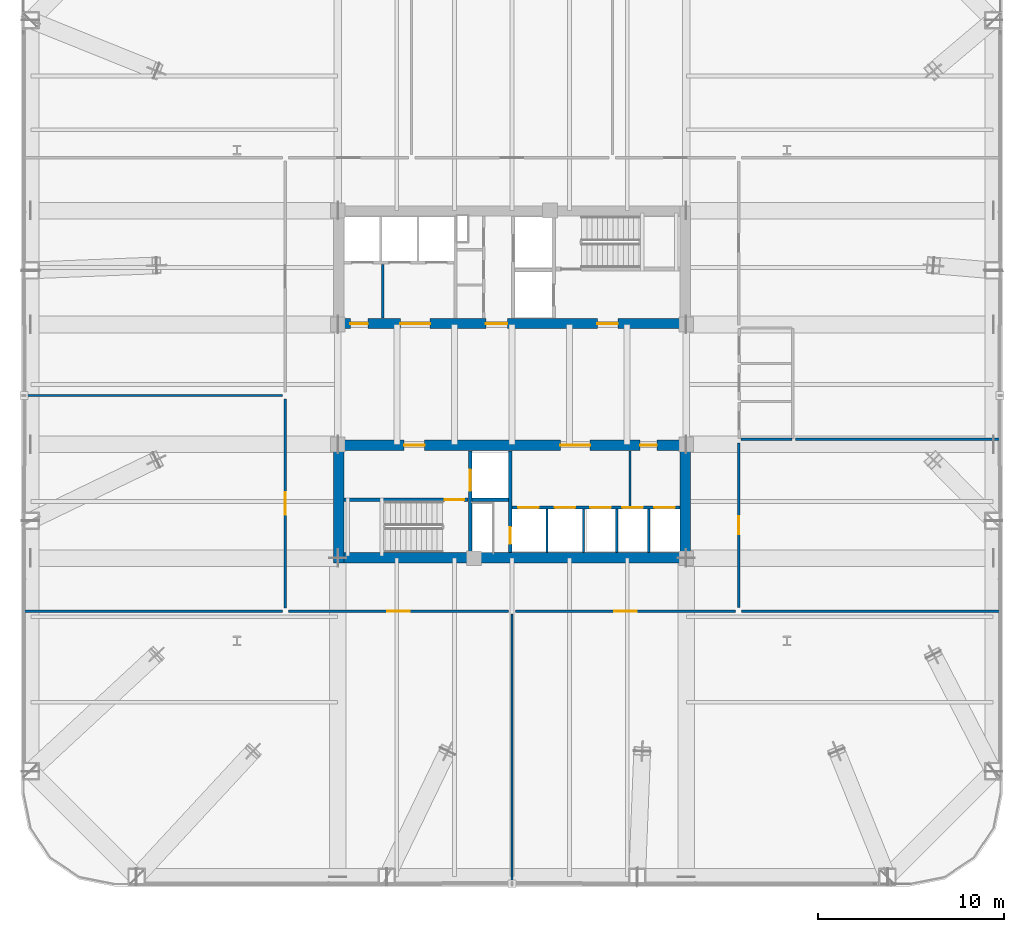
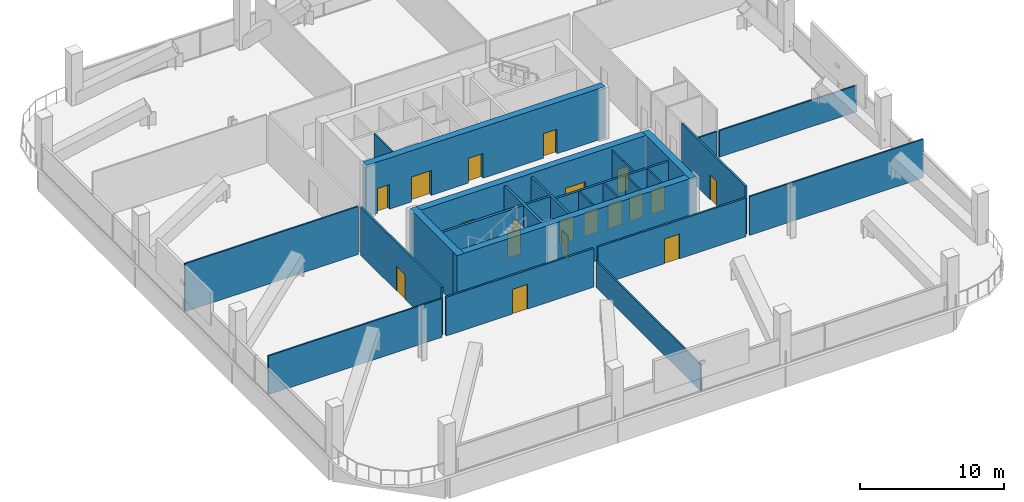
# One storey, part 30 of 38: 26 walls, 19 doors, 19 openings.
"""IFC4 building model written with IfcOpenShell, lengths in metres."""

from ifc_helpers import new_model, si_unit, direction, frame, frame_2d, origin, place, context, subcontext, project, spatial, rectangle, extrude, material, layer, layer_set, type_object, element, fill, save


model = new_model("IFC4")

# Units and contexts
model_context = context("Model", 3, precision=1e-05, world=origin(), true_north=direction((0.0, 1.0)))
body_context = subcontext(model_context, "Body", "Model", "MODEL_VIEW")
ifc_project = project(units=[si_unit("LENGTHUNIT", "METRE"), si_unit("AREAUNIT", "SQUARE_METRE"), si_unit("VOLUMEUNIT", "CUBIC_METRE"), si_unit("PLANEANGLEUNIT", "RADIAN"), si_unit("MASSUNIT", "GRAM", prefix="KILO")], contexts=[model_context])

# Site, building, storey
site_placement = place(None, origin())
site = spatial("IfcSite", under=ifc_project, at=site_placement, CompositionType="ELEMENT")
building_placement = place(site_placement, origin())
building = spatial("IfcBuilding", under=site, at=building_placement, Name="Qhalaya Broadcast Tower", CompositionType="ELEMENT")
storey_placement = place(building_placement, frame((0.0, 0.0, 53.550048828125)))
storey = spatial("IfcBuildingStorey", under=building, at=storey_placement, Name="L15", CompositionType="ELEMENT", Elevation=53.550048828125)

# Wall, opening, door
ifc_material_1 = material(Name="Gypsum Acoustic Partition")
ifc_layer_1 = layer(ifc_material_1, 0.14990234375, Name="Gypsum Acoustic Partition")
ifc_layer_set_1 = layer_set([ifc_layer_1], Name="Gypsum Acoustic Partition")
wall_type_1 = type_object("IfcWallType", Name="Corridor & Tenancy Acoustic Partition 150", PredefinedType="PARTITIONING", material=ifc_layer_set_1)
wall_1_placement = place(storey_placement, frame((-12.02001953125, -11.60009765625, 0.0), z_axis=(0.0, 0.0, 1.0), x_axis=(1.0, 0.0, 0.0)))
wall_1 = element("IfcWall", 1, at=wall_1_placement, inside=storey, type_object=wall_type_1, Name="L15 Partition Wall W-COR-04", PredefinedType="PARTITIONING", context=body_context, shape_type="SweptSolid", body=[
    extrude(rectangle(XDim=11.840087890625, YDim=0.14990234375, at=frame_2d((5.919921875, 0.0))), origin(), (0.0, 0.0, 1.0), 3.287841796875),
])
opening_1_placement = place(wall_1_placement, frame((5.320068359375, 0.0, 0.0)))
opening_1 = element("IfcOpeningElement", 2, at=opening_1_placement, cuts=wall_1, Name="Opening D11", PredefinedType="OPENING", context=body_context, shape_type="SweptSolid", body=[
    extrude(rectangle(XDim=1.199951171875, YDim=2.10009765625, at=frame_2d((0.60009765625, 1.050048828125))), frame((0.0, 0.0869140625, 0.0), z_axis=(0.0, -1.0, 0.0), x_axis=(1.0, 0.0, 0.0)), (0.0, 0.0, 1.0), 0.173828125),
])
ifc_material_2 = material(Name="Anodised Aluminium Glazed Door", Category="aluminium")
door_type_1 = type_object("IfcDoorType", Name="Conference, Boardroom & Studio Control Door D11", OperationType="NOTDEFINED", PredefinedType="DOOR", material=ifc_material_2)
door_1_placement = place(opening_1_placement, origin())
door_1 = element("IfcDoor", 3, at=door_1_placement, inside=storey, type_object=door_type_1, Name="L15 Door D-RM04", OperationType="SINGLE_SWING_RIGHT", OverallHeight=2.10009765625, OverallWidth=1.199951171875, PredefinedType="DOOR", context=body_context, shape_type="SweptSolid", body=[
    extrude(rectangle(XDim=1.199951171875, YDim=2.10009765625, at=frame_2d((0.60009765625, 1.050048828125))), frame((0.0, 0.02490234375, 0.0), z_axis=(0.0, -1.0, 0.0), x_axis=(1.0, 0.0, 0.0)), (0.0, 0.0, 1.0), 0.050048828125),
])
fill(opening_1, door_1)

wall_2_placement = place(storey_placement, frame((0.179931640625, -11.60009765625, 0.0), z_axis=(0.0, 0.0, 1.0), x_axis=(1.0, 0.0, 0.0)))
wall_2 = element("IfcWall", 4, at=wall_2_placement, inside=storey, type_object=wall_type_1, Name="L15 Partition Wall W-COR-05", PredefinedType="PARTITIONING", context=body_context, shape_type="SweptSolid", body=[
    extrude(rectangle(XDim=11.840087890625, YDim=0.14990234375, at=frame_2d((5.919921875, 0.0))), origin(), (0.0, 0.0, 1.0), 3.287841796875),
])
opening_2_placement = place(wall_2_placement, frame((5.320068359375, 0.0, 0.0)))
opening_2 = element("IfcOpeningElement", 5, at=opening_2_placement, cuts=wall_2, Name="Opening D11", PredefinedType="OPENING", context=body_context, shape_type="SweptSolid", body=[
    extrude(rectangle(XDim=1.199951171875, YDim=2.10009765625, at=frame_2d((0.60009765625, 1.050048828125))), frame((0.0, 0.0869140625, 0.0), z_axis=(0.0, -1.0, 0.0), x_axis=(1.0, 0.0, 0.0)), (0.0, 0.0, 1.0), 0.173828125),
])
door_2_placement = place(opening_2_placement, origin())
door_2 = element("IfcDoor", 6, at=door_2_placement, inside=storey, type_object=door_type_1, Name="L15 Door D-RM05", OperationType="SINGLE_SWING_LEFT", OverallHeight=2.10009765625, OverallWidth=1.199951171875, PredefinedType="DOOR", context=body_context, shape_type="SweptSolid", body=[
    extrude(rectangle(XDim=1.199951171875, YDim=2.10009765625, at=frame_2d((0.60009765625, 1.050048828125))), frame((0.0, 0.02490234375, 0.0), z_axis=(0.0, -1.0, 0.0), x_axis=(1.0, 0.0, 0.0)), (0.0, 0.0, 1.0), 0.050048828125),
])
fill(opening_2, door_2)

wall_3_placement = place(storey_placement, frame((-12.199951171875, -11.419921875, 0.0), z_axis=(0.0, 0.0, 1.0), x_axis=(0.0, 1.0, 0.0)))
wall_3 = element("IfcWall", 7, at=wall_3_placement, inside=storey, type_object=wall_type_1, Name="L15 Partition Wall W-COR-06", PredefinedType="PARTITIONING", context=body_context, shape_type="SweptSolid", body=[
    extrude(rectangle(XDim=11.239990234375, YDim=0.14990234375, at=frame_2d((5.6201171875, 0.0))), origin(), (0.0, 0.0, 1.0), 4.070068359375),
])
opening_3_placement = place(wall_3_placement, frame((5.02001953125, 0.0, 0.0)))
opening_3 = element("IfcOpeningElement", 8, at=opening_3_placement, cuts=wall_3, Name="Opening D11", PredefinedType="OPENING", context=body_context, shape_type="SweptSolid", body=[
    extrude(rectangle(XDim=1.199951171875, YDim=2.10009765625, at=frame_2d((0.60009765625, 1.050048828125))), frame((0.0, 0.0869140625, 0.0), z_axis=(0.0, -1.0, 0.0), x_axis=(1.0, 0.0, 0.0)), (0.0, 0.0, 1.0), 0.173828125),
])
door_3_placement = place(opening_3_placement, origin())
door_3 = element("IfcDoor", 9, at=door_3_placement, inside=storey, type_object=door_type_1, Name="L15 Door D-RM06", OperationType="SINGLE_SWING_RIGHT", OverallHeight=2.10009765625, OverallWidth=1.199951171875, PredefinedType="DOOR", context=body_context, shape_type="SweptSolid", body=[
    extrude(rectangle(XDim=1.199951171875, YDim=2.10009765625, at=frame_2d((0.60009765625, 1.050048828125))), frame((0.0, 0.02490234375, 0.0), z_axis=(0.0, -1.0, 0.0), x_axis=(1.0, 0.0, 0.0)), (0.0, 0.0, 1.0), 0.050048828125),
])
fill(opening_3, door_3)

wall_4_placement = place(storey_placement, frame((12.199951171875, -11.39990234375, 0.0), z_axis=(0.0, 0.0, 1.0), x_axis=(0.0, 1.0, 0.0)))
wall_4 = element("IfcWall", 10, at=wall_4_placement, inside=storey, type_object=wall_type_1, Name="L15 Partition Wall W-COR-08", PredefinedType="PARTITIONING", context=body_context, shape_type="SweptSolid", body=[
    extrude(rectangle(XDim=8.83984375, YDim=0.14990234375, at=frame_2d((4.419921875, 0.0))), origin(), (0.0, 0.0, 1.0), 4.070068359375),
])
opening_4_placement = place(wall_4_placement, frame((3.945068359375, 0.0, 0.0)))
opening_4 = element("IfcOpeningElement", 11, at=opening_4_placement, cuts=wall_4, Name="Opening D10", PredefinedType="OPENING", context=body_context, shape_type="SweptSolid", body=[
    extrude(rectangle(XDim=0.949951171875, YDim=2.10009765625, at=frame_2d((0.47509765625, 1.050048828125))), frame((0.0, 0.0869140625, 0.0), z_axis=(0.0, -1.0, 0.0), x_axis=(1.0, 0.0, 0.0)), (0.0, 0.0, 1.0), 0.173828125),
])
ifc_material_3 = material(Name="Timber Veneer Acoustic Door", Category="wood")
door_type_2 = type_object("IfcDoorType", Name="Cellular Office & Edit Booth Door D10", OperationType="NOTDEFINED", PredefinedType="DOOR", material=ifc_material_3)
door_4_placement = place(opening_4_placement, origin())
door_4 = element("IfcDoor", 12, at=door_4_placement, inside=storey, type_object=door_type_2, Name="L15 Door D-RM08", OperationType="SINGLE_SWING_RIGHT", OverallHeight=2.10009765625, OverallWidth=0.949951171875, PredefinedType="DOOR", context=body_context, shape_type="SweptSolid", body=[
    extrude(rectangle(XDim=0.949951171875, YDim=2.10009765625, at=frame_2d((0.47509765625, 1.050048828125))), frame((0.0, 0.02490234375, 0.0), z_axis=(0.0, -1.0, 0.0), x_axis=(1.0, 0.0, 0.0)), (0.0, 0.0, 1.0), 0.050048828125),
])
fill(opening_4, door_4)

ifc_material_4 = material(Name="Concrete C50/60", Category="concrete")
ifc_layer_2 = layer(ifc_material_4, 0.199951171875, Name="Concrete C50/60")
ifc_layer_set_2 = layer_set([ifc_layer_2], Name="Concrete C50/60")
wall_type_2 = type_object("IfcWallType", Name="Load-Bearing Stair Shaft Wall 200", PredefinedType="SHEAR", material=ifc_layer_set_2)
wall_5_placement = place(storey_placement, frame((-9.030029296875, -5.60498046875, 0.0), z_axis=(0.0, 0.0, 1.0), x_axis=(1.0, 0.0, 0.0)))
wall_5 = element("IfcWall", 13, at=wall_5_placement, inside=storey, type_object=wall_type_2, Name="L15 Stair Core Shear Wall SCW-ST2", PredefinedType="SHEAR", context=body_context, shape_type="SweptSolid", body=[
    extrude(rectangle(XDim=6.669921875, YDim=0.199951171875, at=frame_2d((3.3349609375, 0.0))), origin(), (0.0, 0.0, 1.0), 4.070068359375),
])
opening_5_placement = place(wall_5_placement, frame((5.39990234375, 0.0, 0.0)))
opening_5 = element("IfcOpeningElement", 14, at=opening_5_placement, cuts=wall_5, Name="Opening D03", PredefinedType="OPENING", context=body_context, shape_type="SweptSolid", body=[
    extrude(rectangle(XDim=1.050048828125, YDim=2.080078125, at=frame_2d((0.52490234375, 1.0400390625))), frame((0.0, 0.112060546875, 0.0), z_axis=(0.0, -1.0, 0.0), x_axis=(1.0, 0.0, 0.0)), (0.0, 0.0, 1.0), 0.223876953125),
])
ifc_material_5 = material(Name="Fire-Rated Steel Door", Category="steel")
door_type_3 = type_object("IfcDoorType", Name="Core Stair Protected Fire Door D03", OperationType="NOTDEFINED", PredefinedType="DOOR", material=ifc_material_5)
door_5_placement = place(opening_5_placement, origin())
door_5 = element("IfcDoor", 15, at=door_5_placement, inside=storey, type_object=door_type_3, Name="L15 Door D-SST2", OperationType="SINGLE_SWING_RIGHT", OverallHeight=2.080078125, OverallWidth=1.050048828125, PredefinedType="DOOR", context=body_context, shape_type="SweptSolid", body=[
    extrude(rectangle(XDim=1.050048828125, YDim=2.080078125, at=frame_2d((0.52490234375, 1.0400390625))), frame((0.0, 0.02490234375, 0.0), z_axis=(0.0, -1.0, 0.0), x_axis=(1.0, 0.0, 0.0)), (0.0, 0.0, 1.0), 0.050048828125),
])
fill(opening_5, door_5)

wall_6_placement = place(storey_placement, frame((-2.25, -8.429931640625, 0.0), z_axis=(0.0, 0.0, 1.0), x_axis=(0.0, 1.0, 0.0)))
wall_6 = element("IfcWall", 16, at=wall_6_placement, inside=storey, type_object=wall_type_2, Name="L15 Stair Core Shear Wall SCW-FF", PredefinedType="SHEAR", context=body_context, shape_type="SweptSolid", body=[
    extrude(rectangle(XDim=5.4599609375, YDim=0.199951171875, at=frame_2d((2.72998046875, 0.0))), origin(), (0.0, 0.0, 1.0), 4.070068359375),
])
opening_6_placement = place(wall_6_placement, frame((3.300048828125, 0.0, 0.0)))
opening_6 = element("IfcOpeningElement", 17, at=opening_6_placement, cuts=wall_6, Name="Opening LD2", PredefinedType="OPENING", context=body_context, shape_type="SweptSolid", body=[
    extrude(rectangle(XDim=1.14990234375, YDim=2.080078125, at=frame_2d((0.574951171875, 1.0400390625))), frame((0.0, 0.112060546875, 0.0), z_axis=(0.0, -1.0, 0.0), x_axis=(1.0, 0.0, 0.0)), (0.0, 0.0, 1.0), 0.223876953125),
])
ifc_material_6 = material(Name="Brushed Stainless Steel Lift Door", Category="steel")
door_type_4 = type_object("IfcDoorType", Name="Firefighting Lift Sliding Landing Door LD2", OperationType="DOUBLE_DOOR_SLIDING", PredefinedType="DOOR", material=ifc_material_6)
door_6_placement = place(opening_6_placement, origin())
door_6 = element("IfcDoor", 18, at=door_6_placement, inside=storey, type_object=door_type_4, Name="L15 Door LD-FF2", OperationType="DOUBLE_DOOR_SLIDING", OverallHeight=2.080078125, OverallWidth=1.14990234375, PredefinedType="DOOR", context=body_context, shape_type="SweptSolid", body=[
    extrude(rectangle(XDim=1.14990234375, YDim=2.080078125, at=frame_2d((0.574951171875, 1.0400390625))), frame((0.0, 0.02490234375, 0.0), z_axis=(0.0, -1.0, 0.0), x_axis=(1.0, 0.0, 0.0)), (0.0, 0.0, 1.0), 0.050048828125),
])
fill(opening_6, door_6)

# Wall, openings, doors
ifc_material_7 = material(Name="Concrete C60/75", Category="concrete")
ifc_layer_3 = layer(ifc_material_7, 0.550048828125, Name="Concrete C60/75")
ifc_layer_set_3 = layer_set([ifc_layer_3], Name="Concrete C60/75")
wall_type_3 = type_object("IfcWallType", Name="Lower Split-Core Shear Wall 550", PredefinedType="SHEAR", material=ifc_layer_set_3)
wall_7_placement = place(storey_placement, frame((-9.60009765625, 3.875, 0.0), z_axis=(0.0, 0.0, 1.0), x_axis=(1.0, 0.0, 0.0)))
wall_7 = element("IfcWall", 19, at=wall_7_placement, inside=storey, type_object=wall_type_3, Name="L15 Split-Core Shear Wall CW-NS", PredefinedType="SHEAR", context=body_context, shape_type="SweptSolid", body=[
    extrude(rectangle(XDim=19.2001953125, YDim=0.550048828125, at=frame_2d((9.60009765625, 0.0))), origin(), (0.0, 0.0, 1.0), 4.349853515625),
])
opening_7_placement = place(wall_7_placement, frame((14.199951171875, 0.0, 0.0)))
opening_7 = element("IfcOpeningElement", 20, at=opening_7_placement, cuts=wall_7, Name="Opening D04", PredefinedType="OPENING", context=body_context, shape_type="SweptSolid", body=[
    extrude(rectangle(XDim=1.10009765625, YDim=2.080078125, at=frame_2d((0.550048828125, 1.0400390625))), frame((0.0, 0.287109375, 0.0), z_axis=(0.0, -1.0, 0.0), x_axis=(1.0, 0.0, 0.0)), (0.0, 0.0, 1.0), 0.573974609375),
])
opening_8_placement = place(wall_7_placement, frame((8.199951171875, 0.0, 0.0)))
opening_8 = element("IfcOpeningElement", 21, at=opening_8_placement, cuts=wall_7, Name="Opening D05", PredefinedType="OPENING", context=body_context, shape_type="SweptSolid", body=[
    extrude(rectangle(XDim=1.14990234375, YDim=2.10009765625, at=frame_2d((0.574951171875, 1.050048828125))), frame((0.0, 0.287109375, 0.0), z_axis=(0.0, -1.0, 0.0), x_axis=(1.0, 0.0, 0.0)), (0.0, 0.0, 1.0), 0.573974609375),
])
opening_9_placement = place(wall_7_placement, frame((0.89990234375, 0.0, 0.0)))
opening_9 = element("IfcOpeningElement", 22, at=opening_9_placement, cuts=wall_7, Name="Opening D10", PredefinedType="OPENING", context=body_context, shape_type="SweptSolid", body=[
    extrude(rectangle(XDim=0.949951171875, YDim=2.10009765625, at=frame_2d((0.47509765625, 1.050048828125))), frame((0.0, 0.287109375, 0.0), z_axis=(0.0, -1.0, 0.0), x_axis=(1.0, 0.0, 0.0)), (0.0, 0.0, 1.0), 0.573974609375),
])
opening_10_placement = place(wall_7_placement, frame((3.60009765625, 0.0, 0.0)))
opening_10 = element("IfcOpeningElement", 23, at=opening_10_placement, cuts=wall_7, Name="Opening D07", PredefinedType="OPENING", context=body_context, shape_type="SweptSolid", body=[
    extrude(rectangle(XDim=1.60009765625, YDim=2.1201171875, at=frame_2d((0.800048828125, 1.06005859375))), frame((0.0, 0.287109375, 0.0), z_axis=(0.0, -1.0, 0.0), x_axis=(1.0, 0.0, 0.0)), (0.0, 0.0, 1.0), 0.573974609375),
])
door_7_placement = place(opening_9_placement, origin())
door_7 = element("IfcDoor", 24, at=door_7_placement, inside=storey, type_object=door_type_2, Name="L15 Door D-NLPNT", OperationType="SINGLE_SWING_RIGHT", OverallHeight=2.10009765625, OverallWidth=0.949951171875, PredefinedType="DOOR", context=body_context, shape_type="SweptSolid", body=[
    extrude(rectangle(XDim=0.949951171875, YDim=2.10009765625, at=frame_2d((0.47509765625, 1.050048828125))), frame((0.0, 0.02490234375, 0.0), z_axis=(0.0, -1.0, 0.0), x_axis=(1.0, 0.0, 0.0)), (0.0, 0.0, 1.0), 0.050048828125),
])
fill(opening_9, door_7)
door_type_5 = type_object("IfcDoorType", Name="Firefighting Lobby Rated Door D04", OperationType="NOTDEFINED", PredefinedType="DOOR", material=ifc_material_5)
door_8_placement = place(opening_7_placement, origin())
door_8 = element("IfcDoor", 25, at=door_8_placement, inside=storey, type_object=door_type_5, Name="L15 Door D-NFF", OperationType="SINGLE_SWING_RIGHT", OverallHeight=2.080078125, OverallWidth=1.10009765625, PredefinedType="DOOR", context=body_context, shape_type="SweptSolid", body=[
    extrude(rectangle(XDim=1.10009765625, YDim=2.080078125, at=frame_2d((0.550048828125, 1.0400390625))), frame((0.0, 0.02490234375, 0.0), z_axis=(0.0, -1.0, 0.0), x_axis=(1.0, 0.0, 0.0)), (0.0, 0.0, 1.0), 0.050048828125),
])
fill(opening_7, door_8)
door_type_6 = type_object("IfcDoorType", Name="Passenger Lift Lobby Double Glazed Door D07", OperationType="DOUBLE_DOOR_SINGLE_SWING", PredefinedType="DOOR", material=ifc_material_2)
door_9_placement = place(opening_10_placement, origin())
door_9 = element("IfcDoor", 26, at=door_9_placement, inside=storey, type_object=door_type_6, Name="L15 Door D-NPLL", OperationType="DOUBLE_DOOR_SINGLE_SWING", OverallHeight=2.1201171875, OverallWidth=1.60009765625, PredefinedType="DOOR", context=body_context, shape_type="SweptSolid", body=[
    extrude(rectangle(XDim=1.60009765625, YDim=2.1201171875, at=frame_2d((0.800048828125, 1.06005859375))), frame((0.0, 0.02490234375, 0.0), z_axis=(0.0, -1.0, 0.0), x_axis=(1.0, 0.0, 0.0)), (0.0, 0.0, 1.0), 0.050048828125),
])
fill(opening_10, door_9)
door_type_7 = type_object("IfcDoorType", Name="Refuge & Plant Room Fire Door D05", OperationType="NOTDEFINED", PredefinedType="DOOR", material=ifc_material_5)
door_10_placement = place(opening_8_placement, origin())
door_10 = element("IfcDoor", 27, at=door_10_placement, inside=storey, type_object=door_type_7, Name="L15 Door D-NSVL", OperationType="SINGLE_SWING_LEFT", OverallHeight=2.10009765625, OverallWidth=1.14990234375, PredefinedType="DOOR", context=body_context, shape_type="SweptSolid", body=[
    extrude(rectangle(XDim=1.14990234375, YDim=2.10009765625, at=frame_2d((0.574951171875, 1.050048828125))), frame((0.0, 0.02490234375, 0.0), z_axis=(0.0, -1.0, 0.0), x_axis=(1.0, 0.0, 0.0)), (0.0, 0.0, 1.0), 0.050048828125),
])
fill(opening_8, door_10)

# Wall
wall_8_placement = place(storey_placement, frame((-9.60009765625, -8.72509765625, 0.0), z_axis=(0.0, 0.0, 1.0), x_axis=(1.0, 0.0, 0.0)))
element("IfcWall", 28, at=wall_8_placement, inside=storey, type_object=wall_type_3, Name="L15 Split-Core Shear Wall CW-SS", PredefinedType="SHEAR", context=body_context, shape_type="SweptSolid", body=[
    extrude(rectangle(XDim=19.2001953125, YDim=0.550048828125, at=frame_2d((9.60009765625, 0.0))), origin(), (0.0, 0.0, 1.0), 4.349853515625),
])

# Wall, openings, doors
wall_9_placement = place(storey_placement, frame((-9.60009765625, -2.675048828125, 0.0), z_axis=(0.0, 0.0, 1.0), x_axis=(1.0, 0.0, 0.0)))
wall_9 = element("IfcWall", 29, at=wall_9_placement, inside=storey, type_object=wall_type_3, Name="L15 Split-Core Shear Wall CW-SN", PredefinedType="SHEAR", context=body_context, shape_type="SweptSolid", body=[
    extrude(rectangle(XDim=19.2001953125, YDim=0.550048828125, at=frame_2d((9.60009765625, 0.0))), origin(), (0.0, 0.0, 1.0), 4.349853515625),
])
opening_11_placement = place(wall_9_placement, frame((3.800048828125, 0.0, 0.0)))
opening_11 = element("IfcOpeningElement", 30, at=opening_11_placement, cuts=wall_9, Name="Opening D04", PredefinedType="OPENING", context=body_context, shape_type="SweptSolid", body=[
    extrude(rectangle(XDim=1.10009765625, YDim=2.080078125, at=frame_2d((0.550048828125, 1.0400390625))), frame((0.0, 0.287109375, 0.0), z_axis=(0.0, -1.0, 0.0), x_axis=(1.0, 0.0, 0.0)), (0.0, 0.0, 1.0), 0.573974609375),
])
opening_12_placement = place(wall_9_placement, frame((12.199951171875, 0.0, 0.0)))
opening_12 = element("IfcOpeningElement", 31, at=opening_12_placement, cuts=wall_9, Name="Opening D07", PredefinedType="OPENING", context=body_context, shape_type="SweptSolid", body=[
    extrude(rectangle(XDim=1.60009765625, YDim=2.1201171875, at=frame_2d((0.800048828125, 1.06005859375))), frame((0.0, 0.287109375, 0.0), z_axis=(0.0, -1.0, 0.0), x_axis=(1.0, 0.0, 0.0)), (0.0, 0.0, 1.0), 0.573974609375),
])
opening_13_placement = place(wall_9_placement, frame((16.5, 0.0, 0.0)))
opening_13 = element("IfcOpeningElement", 32, at=opening_13_placement, cuts=wall_9, Name="Opening D06", PredefinedType="OPENING", context=body_context, shape_type="SweptSolid", body=[
    extrude(rectangle(XDim=0.89990234375, YDim=2.050048828125, at=frame_2d((0.449951171875, 1.02490234375))), frame((0.0, 0.287109375, 0.0), z_axis=(0.0, -1.0, 0.0), x_axis=(1.0, 0.0, 0.0)), (0.0, 0.0, 1.0), 0.573974609375),
])
door_11_placement = place(opening_11_placement, origin())
door_11 = element("IfcDoor", 33, at=door_11_placement, inside=storey, type_object=door_type_5, Name="L15 Door D-SFF", OperationType="SINGLE_SWING_LEFT", OverallHeight=2.080078125, OverallWidth=1.10009765625, PredefinedType="DOOR", context=body_context, shape_type="SweptSolid", body=[
    extrude(rectangle(XDim=1.10009765625, YDim=2.080078125, at=frame_2d((0.550048828125, 1.0400390625))), frame((0.0, 0.02490234375, 0.0), z_axis=(0.0, -1.0, 0.0), x_axis=(1.0, 0.0, 0.0)), (0.0, 0.0, 1.0), 0.050048828125),
])
fill(opening_11, door_11)
door_12_placement = place(opening_12_placement, origin())
door_12 = element("IfcDoor", 34, at=door_12_placement, inside=storey, type_object=door_type_6, Name="L15 Door D-SPLL", OperationType="DOUBLE_DOOR_SINGLE_SWING", OverallHeight=2.1201171875, OverallWidth=1.60009765625, PredefinedType="DOOR", context=body_context, shape_type="SweptSolid", body=[
    extrude(rectangle(XDim=1.60009765625, YDim=2.1201171875, at=frame_2d((0.800048828125, 1.06005859375))), frame((0.0, 0.02490234375, 0.0), z_axis=(0.0, -1.0, 0.0), x_axis=(1.0, 0.0, 0.0)), (0.0, 0.0, 1.0), 0.050048828125),
])
fill(opening_12, door_12)
door_type_8 = type_object("IfcDoorType", Name="Riser & Electrical Shaft Access Door D06", OperationType="NOTDEFINED", PredefinedType="DOOR", material=ifc_material_5)
door_13_placement = place(opening_13_placement, origin())
door_13 = element("IfcDoor", 35, at=door_13_placement, inside=storey, type_object=door_type_8, Name="L15 Door D-SSCST", OperationType="SINGLE_SWING_LEFT", OverallHeight=2.050048828125, OverallWidth=0.89990234375, PredefinedType="DOOR", context=body_context, shape_type="SweptSolid", body=[
    extrude(rectangle(XDim=0.89990234375, YDim=2.050048828125, at=frame_2d((0.449951171875, 1.02490234375))), frame((0.0, 0.02490234375, 0.0), z_axis=(0.0, -1.0, 0.0), x_axis=(1.0, 0.0, 0.0)), (0.0, 0.0, 1.0), 0.050048828125),
])
fill(opening_13, door_13)

# Walls
for number, where, z_axis, x_axis, name in (
    (36, (-9.324951171875, -9.0, 0.0), (0.0, 0.0, 1.0), (0.0, 1.0, 0.0), "L15 Split-Core Shear Wall CW-SW"),
    (37, (9.324951171875, -9.0, 0.0), (0.0, 0.0, 1.0), (0.0, 1.0, 0.0), "L15 Split-Core Shear Wall CW-SE"),
):
    element("IfcWall", number, at=place(storey_placement, frame(where, z_axis=z_axis, x_axis=x_axis)), inside=storey, type_object=wall_type_3, Name=name, PredefinedType="SHEAR", context=body_context, shape_type="SweptSolid", body=[
        extrude(rectangle(XDim=6.60009765625, YDim=0.550048828125, at=frame_2d((3.300048828125, 0.0))), origin(), (0.0, 0.0, 1.0), 4.349853515625),
    ])
ifc_layer_4 = layer(ifc_material_1, 0.1201171875, Name="Gypsum Acoustic Partition")
ifc_layer_set_4 = layer_set([ifc_layer_4], Name="Gypsum Acoustic Partition")
wall_type_4 = type_object("IfcWallType", Name="Office, Booth & Sanitary Partition 120", PredefinedType="PARTITIONING", material=ifc_layer_set_4)
wall_10_placement = place(storey_placement, frame((-6.949951171875, 4.169921875, 0.0), z_axis=(0.0, 0.0, 1.0), x_axis=(0.0, 1.0, 0.0)))
element("IfcWall", 38, at=wall_10_placement, inside=storey, type_object=wall_type_4, Name="L15 Partition Wall NCW-LKB", PredefinedType="PARTITIONING", context=body_context, shape_type="SweptSolid", body=[
    extrude(rectangle(XDim=2.89013671875, YDim=0.1201171875, at=frame_2d((1.445068359375, 0.0))), origin(), (0.0, 0.0, 1.0), 4.070068359375),
])
for number, where, z_axis, x_axis, name in (
    (39, (1.8798828125, -8.429931640625, 0.0), (0.0, 0.0, 1.0), (0.0, 1.0, 0.0), "L15 Partition Wall SCW-MD4"),
    (40, (3.85009765625, -8.429931640625, 0.0), (0.0, 0.0, 1.0), (0.0, 1.0, 0.0), "L15 Partition Wall SCW-MD5"),
    (41, (5.639892578125, -8.429931640625, 0.0), (0.0, 0.0, 1.0), (0.0, 1.0, 0.0), "L15 Partition Wall SCW-HD6"),
    (42, (7.360107421875, -8.429931640625, 0.0), (0.0, 0.0, 1.0), (0.0, 1.0, 0.0), "L15 Partition Wall SCW-HD7"),
):
    element("IfcWall", number, at=place(storey_placement, frame(where, z_axis=z_axis, x_axis=x_axis)), inside=storey, type_object=wall_type_4, Name=name, PredefinedType="PARTITIONING", context=body_context, shape_type="SweptSolid", body=[
        extrude(rectangle(XDim=2.329833984375, YDim=0.1201171875, at=frame_2d((1.1650390625, 0.0))), origin(), (0.0, 0.0, 1.0), 4.070068359375),
    ])
wall_11_placement = place(storey_placement, frame((6.35009765625, -5.93994140625, 0.0), z_axis=(0.0, 0.0, 1.0), x_axis=(0.0, 1.0, 0.0)))
element("IfcWall", 43, at=wall_11_placement, inside=storey, type_object=wall_type_4, Name="L15 Partition Wall SCW-LKB", PredefinedType="PARTITIONING", context=body_context, shape_type="SweptSolid", body=[
    extrude(rectangle(XDim=2.969970703125, YDim=0.1201171875, at=frame_2d((1.48486328125, 0.0))), origin(), (0.0, 0.0, 1.0), 4.070068359375),
])
wall_12_placement = place(storey_placement, frame((12.31005859375, -2.35009765625, 0.0), z_axis=(0.0, 0.0, 1.0), x_axis=(1.0, 0.0, 0.0)))
element("IfcWall", 44, at=wall_12_placement, inside=storey, type_object=wall_type_4, Name="L15 Partition Wall W-WCS", PredefinedType="PARTITIONING", context=body_context, shape_type="SweptSolid", body=[
    extrude(rectangle(XDim=2.760009765625, YDim=0.1201171875, at=frame_2d((1.3798828125, 0.0))), origin(), (0.0, 0.0, 1.0), 2.25),
])
for number, where, z_axis, x_axis, name in (
    (45, (-26.280029296875, -11.60009765625, 0.0), (0.0, 0.0, 1.0), (1.0, 0.0, 0.0), "L15 Partition Wall W-BNDW2"),
    (46, (12.340087890625, -11.60009765625, 0.0), (0.0, 0.0, 1.0), (1.0, 0.0, 0.0), "L15 Partition Wall W-BNDE2"),
):
    element("IfcWall", number, at=place(storey_placement, frame(where, z_axis=z_axis, x_axis=x_axis)), inside=storey, type_object=wall_type_4, Name=name, PredefinedType="PARTITIONING", context=body_context, shape_type="SweptSolid", body=[
        extrude(rectangle(XDim=13.93994140625, YDim=0.1201171875, at=frame_2d((6.969970703125, 0.0))), origin(), (0.0, 0.0, 1.0), 3.287841796875),
    ])
wall_13_placement = place(storey_placement, frame((0.0, -26.280029296875, 0.0), z_axis=(0.0, 0.0, 1.0), x_axis=(0.0, 1.0, 0.0)))
element("IfcWall", 47, at=wall_13_placement, inside=storey, type_object=wall_type_4, Name="L15 Partition Wall W-DIVS1", PredefinedType="PARTITIONING", context=body_context, shape_type="SweptSolid", body=[
    extrude(rectangle(XDim=14.52001953125, YDim=0.1201171875, at=frame_2d((7.260009765625, 0.0))), origin(), (0.0, 0.0, 1.0), 2.25),
])
wall_14_placement = place(storey_placement, frame((-26.280029296875, 0.0, 0.0), z_axis=(0.0, 0.0, 1.0), x_axis=(1.0, 0.0, 0.0)))
element("IfcWall", 48, at=wall_14_placement, inside=storey, type_object=wall_type_4, Name="L15 Partition Wall W-DIVW1", PredefinedType="PARTITIONING", context=body_context, shape_type="SweptSolid", body=[
    extrude(rectangle(XDim=13.919921875, YDim=0.1201171875, at=frame_2d((6.9599609375, 0.0))), origin(), (0.0, 0.0, 1.0), 4.070068359375),
])
wall_15_placement = place(storey_placement, frame((15.239990234375, -2.35009765625, 0.0), z_axis=(0.0, 0.0, 1.0), x_axis=(1.0, 0.0, 0.0)))
element("IfcWall", 49, at=wall_15_placement, inside=storey, type_object=wall_type_4, Name="L15 Partition Wall W-DIVE-WC", PredefinedType="PARTITIONING", context=body_context, shape_type="SweptSolid", body=[
    extrude(rectangle(XDim=11.0400390625, YDim=0.1201171875, at=frame_2d((5.52001953125, 0.0))), origin(), (0.0, 0.0, 1.0), 2.25),
])

# Wall, opening, door
ifc_layer_5 = layer(ifc_material_1, 0.175048828125, Name="Gypsum Acoustic Partition")
ifc_layer_set_5 = layer_set([ifc_layer_5], Name="Gypsum Acoustic Partition")
wall_type_5 = type_object("IfcWallType", Name="Shaft & Riser Fire Partition 175", PredefinedType="PARTITIONING", material=ifc_layer_set_5)
wall_16_placement = place(storey_placement, frame((-0.10009765625, -8.429931640625, 0.0), z_axis=(0.0, 0.0, 1.0), x_axis=(0.0, 1.0, 0.0)))
wall_16 = element("IfcWall", 50, at=wall_16_placement, inside=storey, type_object=wall_type_5, Name="L15 Partition Wall SCW-FFE", PredefinedType="PARTITIONING", context=body_context, shape_type="SweptSolid", body=[
    extrude(rectangle(XDim=5.4599609375, YDim=0.175048828125, at=frame_2d((2.72998046875, 0.0))), origin(), (0.0, 0.0, 1.0), 4.070068359375),
])
opening_14_placement = place(wall_16_placement, frame((0.449951171875, 0.0, 0.0)))
opening_14 = element("IfcOpeningElement", 51, at=opening_14_placement, cuts=wall_16, Name="Opening D06", PredefinedType="OPENING", context=body_context, shape_type="SweptSolid", body=[
    extrude(rectangle(XDim=0.89990234375, YDim=2.050048828125, at=frame_2d((0.449951171875, 1.02490234375))), frame((0.0, 0.099609375, 0.0), z_axis=(0.0, -1.0, 0.0), x_axis=(1.0, 0.0, 0.0)), (0.0, 0.0, 1.0), 0.198974609375),
])
door_14_placement = place(opening_14_placement, origin())
door_14 = element("IfcDoor", 52, at=door_14_placement, inside=storey, type_object=door_type_8, Name="L15 Riser Shaft Access Door D-SRSR", OperationType="SINGLE_SWING_LEFT", OverallHeight=2.050048828125, OverallWidth=0.89990234375, PredefinedType="DOOR", context=body_context, shape_type="SweptSolid", body=[
    extrude(rectangle(XDim=0.89990234375, YDim=2.050048828125, at=frame_2d((0.449951171875, 1.02490234375))), frame((0.0, 0.02490234375, 0.0), z_axis=(0.0, -1.0, 0.0), x_axis=(1.0, 0.0, 0.0)), (0.0, 0.0, 1.0), 0.050048828125),
])
fill(opening_14, door_14)

# Wall
wall_17_placement = place(storey_placement, frame((-2.14990234375, -5.60009765625, 0.0), z_axis=(0.0, 0.0, 1.0), x_axis=(1.0, 0.0, 0.0)))
element("IfcWall", 53, at=wall_17_placement, inside=storey, type_object=wall_type_5, Name="L15 Partition Wall SCW-FFM", PredefinedType="PARTITIONING", context=body_context, shape_type="SweptSolid", body=[
    extrude(rectangle(XDim=1.969970703125, YDim=0.175048828125, at=frame_2d((0.98486328125, 0.0))), origin(), (0.0, 0.0, 1.0), 4.070068359375),
])

# Wall, openings, doors
wall_18_placement = place(storey_placement, frame((0.0, -6.02001953125, 0.0), z_axis=(0.0, 0.0, 1.0), x_axis=(1.0, 0.0, 0.0)))
wall_18 = element("IfcWall", 54, at=wall_18_placement, inside=storey, type_object=wall_type_5, Name="L15 Partition Wall SCW-SLB", PredefinedType="PARTITIONING", context=body_context, shape_type="SweptSolid", body=[
    extrude(rectangle(XDim=9.030029296875, YDim=0.175048828125, at=frame_2d((4.51513671875, 0.0))), origin(), (0.0, 0.0, 1.0), 4.070068359375),
])
opening_15_placement = place(wall_18_placement, frame((0.330078125, 0.0, 0.0)))
opening_15 = element("IfcOpeningElement", 55, at=opening_15_placement, cuts=wall_18, Name="Opening LD1", PredefinedType="OPENING", context=body_context, shape_type="SweptSolid", body=[
    extrude(rectangle(XDim=1.10009765625, YDim=2.06005859375, at=frame_2d((0.550048828125, 1.030029296875))), frame((0.0, 0.099609375, 0.0), z_axis=(0.0, -1.0, 0.0), x_axis=(1.0, 0.0, 0.0)), (0.0, 0.0, 1.0), 0.198974609375),
])
opening_16_placement = place(wall_18_placement, frame((2.300048828125, 0.0, 0.0)))
opening_16 = element("IfcOpeningElement", 56, at=opening_16_placement, cuts=wall_18, Name="Opening LD1", PredefinedType="OPENING", context=body_context, shape_type="SweptSolid", body=[
    extrude(rectangle(XDim=1.10009765625, YDim=2.06005859375, at=frame_2d((0.550048828125, 1.030029296875))), frame((0.0, 0.099609375, 0.0), z_axis=(0.0, -1.0, 0.0), x_axis=(1.0, 0.0, 0.0)), (0.0, 0.0, 1.0), 0.198974609375),
])
opening_17_placement = place(wall_18_placement, frame((4.219970703125, 0.0, 0.0)))
opening_17 = element("IfcOpeningElement", 57, at=opening_17_placement, cuts=wall_18, Name="Opening LD1", PredefinedType="OPENING", context=body_context, shape_type="SweptSolid", body=[
    extrude(rectangle(XDim=1.10009765625, YDim=2.06005859375, at=frame_2d((0.550048828125, 1.030029296875))), frame((0.0, 0.099609375, 0.0), z_axis=(0.0, -1.0, 0.0), x_axis=(1.0, 0.0, 0.0)), (0.0, 0.0, 1.0), 0.198974609375),
])
opening_18_placement = place(wall_18_placement, frame((5.93994140625, 0.0, 0.0)))
opening_18 = element("IfcOpeningElement", 58, at=opening_18_placement, cuts=wall_18, Name="Opening LD1", PredefinedType="OPENING", context=body_context, shape_type="SweptSolid", body=[
    extrude(rectangle(XDim=1.10009765625, YDim=2.06005859375, at=frame_2d((0.550048828125, 1.030029296875))), frame((0.0, 0.099609375, 0.0), z_axis=(0.0, -1.0, 0.0), x_axis=(1.0, 0.0, 0.0)), (0.0, 0.0, 1.0), 0.198974609375),
])
opening_19_placement = place(wall_18_placement, frame((7.659912109375, 0.0, 0.0)))
opening_19 = element("IfcOpeningElement", 59, at=opening_19_placement, cuts=wall_18, Name="Opening LD1", PredefinedType="OPENING", context=body_context, shape_type="SweptSolid", body=[
    extrude(rectangle(XDim=1.10009765625, YDim=2.06005859375, at=frame_2d((0.550048828125, 1.030029296875))), frame((0.0, 0.099609375, 0.0), z_axis=(0.0, -1.0, 0.0), x_axis=(1.0, 0.0, 0.0)), (0.0, 0.0, 1.0), 0.198974609375),
])
door_type_9 = type_object("IfcDoorType", Name="Passenger Lift Sliding Landing Door LD1", OperationType="DOUBLE_DOOR_SLIDING", PredefinedType="DOOR", material=ifc_material_6)
door_15_placement = place(opening_15_placement, origin())
door_15 = element("IfcDoor", 60, at=door_15_placement, inside=storey, type_object=door_type_9, Name="L15 Door LD-P4", OperationType="DOUBLE_DOOR_SLIDING", OverallHeight=2.06005859375, OverallWidth=1.10009765625, PredefinedType="DOOR", context=body_context, shape_type="SweptSolid", body=[
    extrude(rectangle(XDim=1.10009765625, YDim=2.06005859375, at=frame_2d((0.550048828125, 1.030029296875))), frame((0.0, 0.02490234375, 0.0), z_axis=(0.0, -1.0, 0.0), x_axis=(1.0, 0.0, 0.0)), (0.0, 0.0, 1.0), 0.050048828125),
])
fill(opening_15, door_15)
door_16_placement = place(opening_16_placement, origin())
door_16 = element("IfcDoor", 61, at=door_16_placement, inside=storey, type_object=door_type_9, Name="L15 Door LD-P5", OperationType="DOUBLE_DOOR_SLIDING", OverallHeight=2.06005859375, OverallWidth=1.10009765625, PredefinedType="DOOR", context=body_context, shape_type="SweptSolid", body=[
    extrude(rectangle(XDim=1.10009765625, YDim=2.06005859375, at=frame_2d((0.550048828125, 1.030029296875))), frame((0.0, 0.02490234375, 0.0), z_axis=(0.0, -1.0, 0.0), x_axis=(1.0, 0.0, 0.0)), (0.0, 0.0, 1.0), 0.050048828125),
])
fill(opening_16, door_16)
door_17_placement = place(opening_17_placement, origin())
door_17 = element("IfcDoor", 62, at=door_17_placement, inside=storey, type_object=door_type_9, Name="L15 Door LD-P6", OperationType="DOUBLE_DOOR_SLIDING", OverallHeight=2.06005859375, OverallWidth=1.10009765625, PredefinedType="DOOR", context=body_context, shape_type="SweptSolid", body=[
    extrude(rectangle(XDim=1.10009765625, YDim=2.06005859375, at=frame_2d((0.550048828125, 1.030029296875))), frame((0.0, 0.02490234375, 0.0), z_axis=(0.0, -1.0, 0.0), x_axis=(1.0, 0.0, 0.0)), (0.0, 0.0, 1.0), 0.050048828125),
])
fill(opening_17, door_17)
door_18_placement = place(opening_18_placement, origin())
door_18 = element("IfcDoor", 63, at=door_18_placement, inside=storey, type_object=door_type_9, Name="L15 Door LD-P7", OperationType="DOUBLE_DOOR_SLIDING", OverallHeight=2.06005859375, OverallWidth=1.10009765625, PredefinedType="DOOR", context=body_context, shape_type="SweptSolid", body=[
    extrude(rectangle(XDim=1.10009765625, YDim=2.06005859375, at=frame_2d((0.550048828125, 1.030029296875))), frame((0.0, 0.02490234375, 0.0), z_axis=(0.0, -1.0, 0.0), x_axis=(1.0, 0.0, 0.0)), (0.0, 0.0, 1.0), 0.050048828125),
])
fill(opening_18, door_18)
door_19_placement = place(opening_19_placement, origin())
door_19 = element("IfcDoor", 64, at=door_19_placement, inside=storey, type_object=door_type_9, Name="L15 Door LD-P8", OperationType="DOUBLE_DOOR_SLIDING", OverallHeight=2.06005859375, OverallWidth=1.10009765625, PredefinedType="DOOR", context=body_context, shape_type="SweptSolid", body=[
    extrude(rectangle(XDim=1.10009765625, YDim=2.06005859375, at=frame_2d((0.550048828125, 1.030029296875))), frame((0.0, 0.02490234375, 0.0), z_axis=(0.0, -1.0, 0.0), x_axis=(1.0, 0.0, 0.0)), (0.0, 0.0, 1.0), 0.050048828125),
])
fill(opening_19, door_19)

save(model, "model.ifc")
